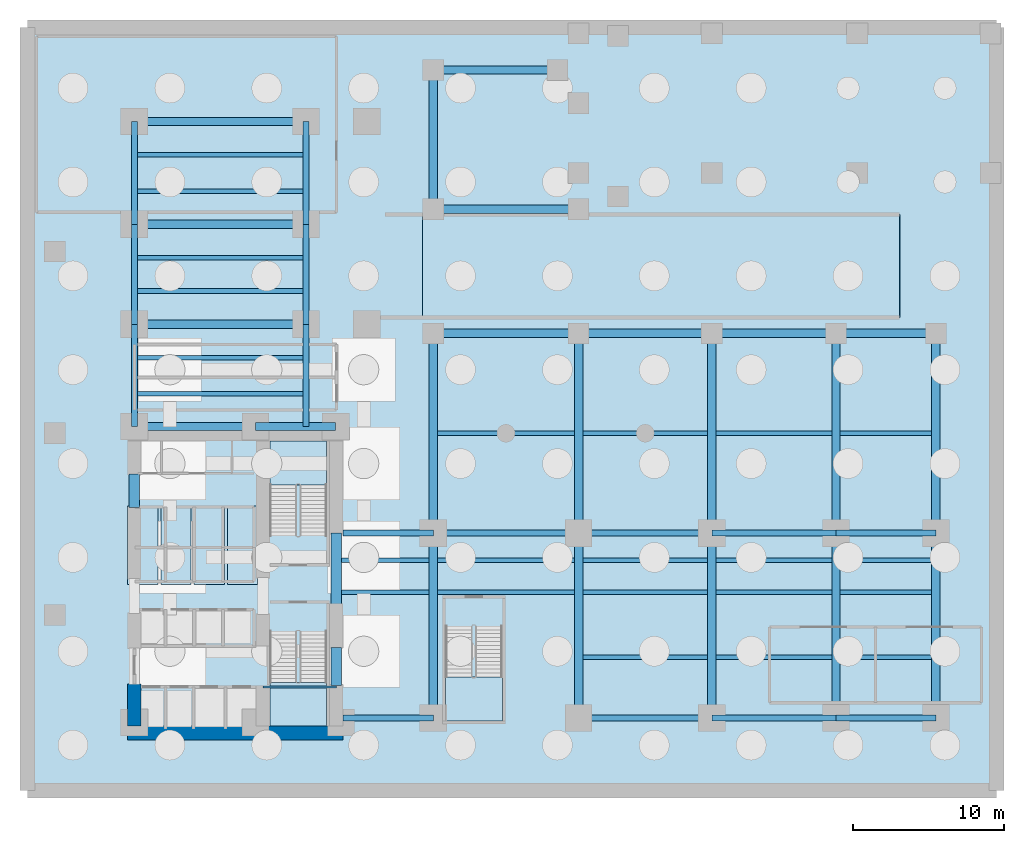
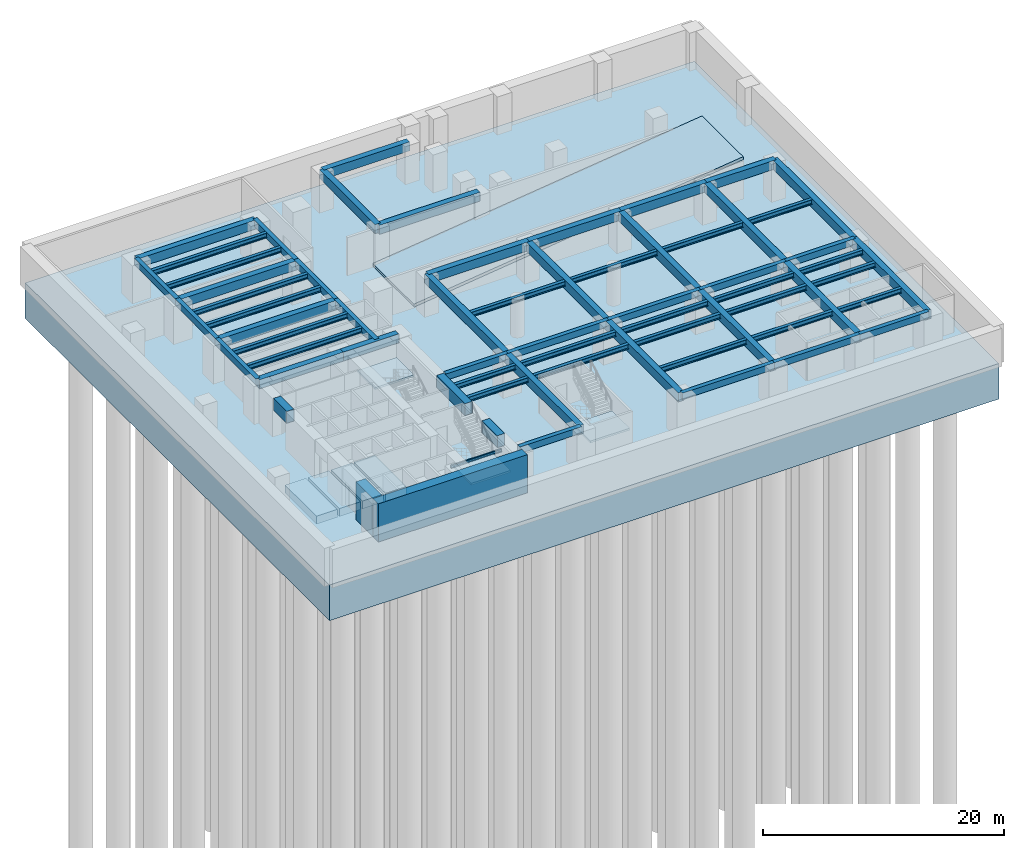
# One storey, part 2 of 6: 64 beams, 9 slabs, 2 walls, 3 elements without a shape of their own.
"""IFC4 building model written with IfcOpenShell, lengths in metres."""

import ifcopenshell
import ifcopenshell.guid

model = None  # the IFC model being written
_history = None  # IfcOwnerHistory: only IFC2X3 demands one
_inside = {}  # id of a spatial element -> (the spatial element, [elements in it])
_under = {}  # id of a project, library or spatial element -> (it, [spatial elements below it])
_declared = {}  # id of a project -> (the project, [libraries it declares])
_typed = {}  # id of a type object -> (the type object, [elements of that type])
_made_of = {}  # id of a material, layer set ... -> (it, [elements and type objects made of it])


def new_model(schema):
    """Start an empty IFC model of exactly this schema.

    Asked for "IFC4X3", IfcOpenShell would pick the latest addendum, in which some entities
    have other attributes; the version numbers below select the first issue.
    IFC2X3 requires an IfcOwnerHistory on every rooted entity: one is made here for all.
    """
    global model, _history
    if schema == "IFC4X3":
        model = ifcopenshell.file(schema_version=(4, 3, 0, 0))
    else:
        model = ifcopenshell.file(schema=schema)
    _inside.clear()
    _under.clear()
    _declared.clear()
    _typed.clear()
    _made_of.clear()
    _history = None
    if model.schema == "IFC2X3":
        org = make("IfcOrganization", Name="unknown")
        user = make(
            "IfcPersonAndOrganization",
            ThePerson=make("IfcPerson", FamilyName="unknown"),
            TheOrganization=org,
        )
        app = make(
            "IfcApplication",
            ApplicationDeveloper=org,
            Version="unknown",
            ApplicationFullName="unknown",
            ApplicationIdentifier="unknown",
        )
        _history = make(
            "IfcOwnerHistory",
            OwningUser=user,
            OwningApplication=app,
            ChangeAction="ADDED",
            CreationDate=0,
        )
    return model


def make(cls, **values):
    """One entity of the class cls with the attributes given. An attribute that is None is left unset."""
    return model.create_entity(
        cls, **{name: value for name, value in values.items() if value is not None}
    )


def rooted(cls, **values):
    """An entity with a GlobalId (a new one), such as an element, a storey or a relation."""
    return make(cls, GlobalId=ifcopenshell.guid.new(), OwnerHistory=_history, **values)


def si_unit(unit_type, name, prefix=None):
    """IfcSIUnit, for example si_unit("LENGTHUNIT", "METRE", prefix="MILLI")."""
    return make("IfcSIUnit", UnitType=unit_type, Prefix=prefix, Name=name)


def assignment(units):
    """IfcUnitAssignment: the units of a project."""
    return None if units is None else make("IfcUnitAssignment", Units=units)


def point(xyz):
    """IfcCartesianPoint."""
    return None if xyz is None else make("IfcCartesianPoint", Coordinates=xyz)


def direction(xyz):
    """IfcDirection."""
    return None if xyz is None else make("IfcDirection", DirectionRatios=xyz)


def frame(location, z_axis=None, x_axis=None):
    """IfcAxis2Placement3D, a coordinate frame: its origin and axes. An axis left out is left unset."""
    return make(
        "IfcAxis2Placement3D",
        Location=point(location),
        Axis=direction(z_axis),
        RefDirection=direction(x_axis),
    )


def frame_2d(location, x_axis=None):
    """IfcAxis2Placement2D, a coordinate frame in the plane: its origin and x axis."""
    return make(
        "IfcAxis2Placement2D", Location=point(location), RefDirection=direction(x_axis)
    )


def origin():
    """The frame at (0, 0, 0) with its axes left unset."""
    return frame((0.0, 0.0, 0.0))


def origin_2d():
    """The frame at (0, 0) in the plane with its x axis left unset."""
    return frame_2d((0.0, 0.0))


def place(relative_to, where):
    """IfcLocalPlacement: puts the frame where relative to a parent placement (None: the world)."""
    return make(
        "IfcLocalPlacement", PlacementRelTo=relative_to, RelativePlacement=where
    )


def context(
    kind, dimensions, precision=None, world=None, true_north=None, identifier=None
):
    """IfcGeometricRepresentationContext, for example the 3D "Model" context."""
    return make(
        "IfcGeometricRepresentationContext",
        ContextIdentifier=identifier,
        ContextType=kind,
        CoordinateSpaceDimension=dimensions,
        Precision=precision,
        WorldCoordinateSystem=world,
        TrueNorth=true_north,
    )


def subcontext(parent, identifier, kind, view, scale=None):
    """IfcGeometricRepresentationSubContext, for example "Body" below "Model"."""
    return make(
        "IfcGeometricRepresentationSubContext",
        ContextIdentifier=identifier,
        ContextType=kind,
        ParentContext=parent,
        TargetScale=scale,
        TargetView=view,
    )


def project(units=None, contexts=None):
    """IfcProject with its units and contexts."""
    return rooted(
        "IfcProject",
        Name="project",
        RepresentationContexts=contexts,
        UnitsInContext=assignment(units),
    )


def spatial(cls, under=None, at=None, **own):
    """A site, building, storey or space (cls), placed at a placement, below another one or the project."""
    s = rooted(cls, ObjectPlacement=at, **own)
    if under is not None:
        _under.setdefault(under.id(), (under, []))[1].append(s)
    return s


def polyline(points):
    """IfcPolyline through the points."""
    return make("IfcPolyline", Points=[point(p) for p in points])


def profile(cls, at=None, kind="AREA", **sizes):
    """A parametric profile (cls). Its sizes go by their IFC names, for example OverallWidth=200.0."""
    return make(cls, ProfileType=kind, Position=at, **sizes)


def rectangle(**sizes):
    """IfcRectangleProfileDef."""
    return profile("IfcRectangleProfileDef", **sizes)


def i_section(**sizes):
    """IfcIShapeProfileDef."""
    return profile("IfcIShapeProfileDef", **sizes)


def outline(outer, holes=None, kind="AREA"):
    """IfcArbitraryClosedProfileDef: a profile drawn as a closed curve; with holes, ...WithVoids."""
    if holes is None:
        return make("IfcArbitraryClosedProfileDef", ProfileType=kind, OuterCurve=outer)
    return make(
        "IfcArbitraryProfileDefWithVoids",
        ProfileType=kind,
        OuterCurve=outer,
        InnerCurves=holes,
    )


def extrude(swept, where, along, depth):
    """IfcExtrudedAreaSolid: the profile swept, set in the frame where, extruded along a direction by depth."""
    return make(
        "IfcExtrudedAreaSolid",
        SweptArea=swept,
        Position=where,
        ExtrudedDirection=direction(along),
        Depth=depth,
    )


def shape(context_of_items, identifier, shape_type, items):
    """IfcShapeRepresentation: the items that make up one representation, for example the "Body"."""
    return make(
        "IfcShapeRepresentation",
        ContextOfItems=context_of_items,
        RepresentationIdentifier=identifier,
        RepresentationType=shape_type,
        Items=items,
    )


def material(Name=None, Category=None):
    """IfcMaterial."""
    return make("IfcMaterial", Name=Name, Category=Category)


def layer(
    of_material, thickness, ventilated=None, Name=None, Category=None, Priority=None
):
    """IfcMaterialLayer: one layer of a wall or slab, of a material (None: an air gap)."""
    return make(
        "IfcMaterialLayer",
        Material=of_material,
        LayerThickness=thickness,
        IsVentilated=ventilated,
        Name=Name,
        Category=Category,
        Priority=Priority,
    )


def layer_set(layers, Name=None):
    """IfcMaterialLayerSet."""
    return make("IfcMaterialLayerSet", MaterialLayers=layers, LayerSetName=Name)


def material_profile(
    of_material, cross_section, Name=None, Category=None, Priority=None
):
    """IfcMaterialProfile: a cross section and its material."""
    return make(
        "IfcMaterialProfile",
        Name=Name,
        Material=of_material,
        Profile=cross_section,
        Priority=Priority,
        Category=Category,
    )


def profile_set(profiles, Name=None, composite=None):
    """IfcMaterialProfileSet."""
    return make(
        "IfcMaterialProfileSet",
        Name=Name,
        MaterialProfiles=profiles,
        CompositeProfile=composite,
    )


def made_of(thing, what):
    """Note that an element or type object is made of a material, layer set ...; save() writes the relation."""
    if what is not None:
        _made_of.setdefault(what.id(), (what, []))[1].append(thing)
    return thing


def type_object(cls, material=None, **own):
    """A type object (cls), such as IfcWallType, which elements share."""
    return made_of(rooted(cls, **own), material)


def element(
    cls,
    number,
    at=None,
    inside=None,
    cuts=None,
    type_object=None,
    material=None,
    context=None,
    identifier="Body",
    shape_type=None,
    held_by="IfcProductDefinitionShape",
    body=None,
    shapes=None,
    **own,
):
    """One element of the class cls, such as IfcWall. Its Tag is "e" and its number.

    at: its placement. inside: the storey or other place that contains it. cuts: it is an
    opening in that element (IfcRelVoidsElement). A single representation is given by context,
    identifier, shape_type and body (its items); several are given by shapes. held_by: the class
    of the entity that holds the representations. save() writes the other relations.
    """
    e = rooted(cls, Tag="e%d" % number, ObjectPlacement=at, **own)
    if body is not None:
        shapes = [shape(context, identifier, shape_type, body)]
    if shapes is not None:
        e.Representation = make(held_by, Representations=shapes)
    if inside is not None:
        _inside.setdefault(inside.id(), (inside, []))[1].append(e)
    if cuts is not None:
        rooted(
            "IfcRelVoidsElement", RelatingBuildingElement=cuts, RelatedOpeningElement=e
        )
    if type_object is not None:
        _typed.setdefault(type_object.id(), (type_object, []))[1].append(e)
    return made_of(e, material)


def aggregate(whole, parts):
    """IfcRelAggregates: a whole, such as a stair, and the parts it consists of."""
    return rooted("IfcRelAggregates", RelatingObject=whole, RelatedObjects=parts)


def save(model, path):
    """Write the relations noted so far, then the file.

    IfcRelAggregates (storeys below a building ...), IfcRelContainedInSpatialStructure (elements
    in a storey), IfcRelDefinesByType, IfcRelAssociatesMaterial and IfcRelDeclares: one each for
    every whole, place, type object, material and project.
    """
    for whole, parts in _under.values():
        aggregate(whole, parts)
    for where, things in _inside.values():
        rooted(
            "IfcRelContainedInSpatialStructure",
            RelatedElements=things,
            RelatingStructure=where,
        )
    for kind, things in _typed.values():
        rooted("IfcRelDefinesByType", RelatedObjects=things, RelatingType=kind)
    for what, things in _made_of.values():
        rooted("IfcRelAssociatesMaterial", RelatedObjects=things, RelatingMaterial=what)
    for by, libraries in _declared.values():
        rooted("IfcRelDeclares", RelatingContext=by, RelatedDefinitions=libraries)
    model.write(path)


model = new_model("IFC4")

# Units and contexts
model_context = context("Model", 3, precision=1e-05, world=origin(), true_north=direction((0.0, 1.0)))
body_context = subcontext(model_context, "Body", "Model", "MODEL_VIEW")
ifc_project = project(units=[si_unit("LENGTHUNIT", "METRE"), si_unit("AREAUNIT", "SQUARE_METRE"), si_unit("VOLUMEUNIT", "CUBIC_METRE"), si_unit("PLANEANGLEUNIT", "RADIAN"), si_unit("MASSUNIT", "GRAM", prefix="KILO")], contexts=[model_context])

# Site, building, storey
site_placement = place(None, origin())
site = spatial("IfcSite", under=ifc_project, at=site_placement, CompositionType="ELEMENT")
building_placement = place(site_placement, origin())
building = spatial("IfcBuilding", under=site, at=building_placement, Name="Kolvaren Waterfront Exchange", CompositionType="ELEMENT")
storey_placement = place(building_placement, frame((0.0, 0.0, -8.39990234375)))
storey = spatial("IfcBuildingStorey", under=building, at=storey_placement, Name="B02", CompositionType="ELEMENT", Elevation=-8.39990234375)

# Beams
ifc_material_1 = material(Name="Steel S355", Category="steel")
ifc_material_profile_1 = material_profile(ifc_material_1, i_section(OverallWidth=0.300048828125, OverallDepth=0.5, WebThickness=0.014404296875, FlangeThickness=0.028076171875, FilletRadius=0.027099609375, at=origin_2d()), Name="HEB500")
ifc_profile_set_1 = profile_set([ifc_material_profile_1], Name="Steel S355")
beam_type_1 = type_object("IfcBeamType", Name="STR-BM-HEB500", PredefinedType="BEAM", material=ifc_profile_set_1)
for number, where, z_axis, x_axis, name in (
    (1, (7.652099609375, 26.60009765625, 3.60986328125), (1.0, 0.0, 0.0), (0.0, 1.0, 0.0), "B02 north-arm composite joist 1"),
    (2, (7.652099609375, 29.0, 3.60986328125), (1.0, 0.0, 0.0), (0.0, 1.0, 0.0), "B02 north-arm composite joist 2"),
    (3, (7.652099609375, 33.39990234375, 3.60986328125), (1.0, 0.0, 0.0), (0.0, 1.0, 0.0), "B02 north-arm composite joist 3"),
    (4, (7.652099609375, 35.60009765625, 3.60986328125), (1.0, 0.0, 0.0), (0.0, 1.0, 0.0), "B02 north-arm composite joist 4"),
    (5, (7.652099609375, 40.0, 3.60986328125), (1.0, 0.0, 0.0), (0.0, 1.0, 0.0), "B02 north-arm composite joist 5"),
    (6, (7.652099609375, 42.39990234375, 3.60986328125), (1.0, 0.0, 0.0), (0.0, 1.0, 0.0), "B02 north-arm composite joist 6"),
):
    element("IfcBeam", number, at=place(storey_placement, frame(where, z_axis=z_axis, x_axis=x_axis)), inside=storey, type_object=beam_type_1, Name=name, PredefinedType="JOIST", context=body_context, shape_type="SweptSolid", body=[
        extrude(i_section(OverallWidth=0.300048828125, OverallDepth=0.5, WebThickness=0.014404296875, FlangeThickness=0.028076171875, FilletRadius=0.027099609375, at=origin_2d()), origin(), (0.0, 0.0, 1.0), 10.94580078125),
    ])
for number, where, z_axis, x_axis, name in (
    (7, (21.10009765625, 13.5, 3.60986328125), (1.0, 0.0, 0.0), (0.0, 1.0, 0.0), "B02 east-arm composite joist 1A"),
    (8, (21.10009765625, 15.60009765625, 3.60986328125), (1.0, 0.0, 0.0), (0.0, 1.0, 0.0), "B02 east-arm composite joist 1C"),
):
    element("IfcBeam", number, at=place(storey_placement, frame(where, z_axis=z_axis, x_axis=x_axis)), inside=storey, type_object=beam_type_1, Name=name, PredefinedType="JOIST", context=body_context, shape_type="SweptSolid", body=[
        extrude(i_section(OverallWidth=0.300048828125, OverallDepth=0.5, WebThickness=0.014404296875, FlangeThickness=0.028076171875, FilletRadius=0.027099609375, at=origin_2d()), origin(), (0.0, 0.0, 1.0), 5.822998046875),
    ])
for number, where, z_axis, x_axis, name in (
    (9, (27.47705078125, 13.5, 3.60986328125), (1.0, 0.0, 0.0), (0.0, 1.0, 0.0), "B02 east-arm composite joist 2A"),
    (10, (27.47705078125, 15.60009765625, 3.60986328125), (1.0, 0.0, 0.0), (0.0, 1.0, 0.0), "B02 east-arm composite joist 2C"),
):
    element("IfcBeam", number, at=place(storey_placement, frame(where, z_axis=z_axis, x_axis=x_axis)), inside=storey, type_object=beam_type_1, Name=name, PredefinedType="JOIST", context=body_context, shape_type="SweptSolid", body=[
        extrude(i_section(OverallWidth=0.300048828125, OverallDepth=0.5, WebThickness=0.014404296875, FlangeThickness=0.028076171875, FilletRadius=0.027099609375, at=origin_2d()), origin(), (0.0, 0.0, 1.0), 9.0458984375),
    ])
for number, where, z_axis, x_axis, name in (
    (11, (37.076904296875, 13.5, 3.60986328125), (1.0, 0.0, 0.0), (0.0, 1.0, 0.0), "B02 east-arm composite joist 3A"),
    (12, (37.076904296875, 15.60009765625, 3.60986328125), (1.0, 0.0, 0.0), (0.0, 1.0, 0.0), "B02 east-arm composite joist 3C"),
    (13, (37.076904296875, 9.199951171875, 3.60986328125), (1.0, 0.0, 0.0), (0.0, 1.0, 0.0), "B02 east-arm composite joist 3B"),
):
    element("IfcBeam", number, at=place(storey_placement, frame(where, z_axis=z_axis, x_axis=x_axis)), inside=storey, type_object=beam_type_1, Name=name, PredefinedType="JOIST", context=body_context, shape_type="SweptSolid", body=[
        extrude(i_section(OverallWidth=0.300048828125, OverallDepth=0.5, WebThickness=0.014404296875, FlangeThickness=0.028076171875, FilletRadius=0.027099609375, at=origin_2d()), origin(), (0.0, 0.0, 1.0), 8.24609375),
    ])
for number, where, z_axis, x_axis, name in (
    (14, (45.876953125, 13.5, 3.60986328125), (1.0, 0.0, 0.0), (0.0, 1.0, 0.0), "B02 east-arm composite joist 4A"),
    (15, (45.876953125, 15.60009765625, 3.60986328125), (1.0, 0.0, 0.0), (0.0, 1.0, 0.0), "B02 east-arm composite joist 4C"),
    (16, (45.876953125, 9.199951171875, 3.60986328125), (1.0, 0.0, 0.0), (0.0, 1.0, 0.0), "B02 east-arm composite joist 4B"),
):
    element("IfcBeam", number, at=place(storey_placement, frame(where, z_axis=z_axis, x_axis=x_axis)), inside=storey, type_object=beam_type_1, Name=name, PredefinedType="JOIST", context=body_context, shape_type="SweptSolid", body=[
        extrude(i_section(OverallWidth=0.300048828125, OverallDepth=0.5, WebThickness=0.014404296875, FlangeThickness=0.028076171875, FilletRadius=0.027099609375, at=origin_2d()), origin(), (0.0, 0.0, 1.0), 7.64599609375),
    ])
for number, where, z_axis, x_axis, name in (
    (17, (54.076904296875, 13.5, 3.60986328125), (1.0, 0.0, 0.0), (0.0, 1.0, 0.0), "B02 east-arm composite joist 5A"),
    (18, (54.076904296875, 15.60009765625, 3.60986328125), (1.0, 0.0, 0.0), (0.0, 1.0, 0.0), "B02 east-arm composite joist 5C"),
    (19, (54.076904296875, 9.199951171875, 3.60986328125), (1.0, 0.0, 0.0), (0.0, 1.0, 0.0), "B02 east-arm composite joist 5B"),
):
    element("IfcBeam", number, at=place(storey_placement, frame(where, z_axis=z_axis, x_axis=x_axis)), inside=storey, type_object=beam_type_1, Name=name, PredefinedType="JOIST", context=body_context, shape_type="SweptSolid", body=[
        extrude(i_section(OverallWidth=0.300048828125, OverallDepth=0.5, WebThickness=0.014404296875, FlangeThickness=0.028076171875, FilletRadius=0.027099609375, at=origin_2d()), origin(), (0.0, 0.0, 1.0), 6.046142578125),
    ])
beam_1_placement = place(storey_placement, frame((27.47705078125, 24.0, 3.60986328125), z_axis=(1.0, 0.0, 0.0), x_axis=(0.0, 1.0, 0.0)))
element("IfcBeam", 20, at=beam_1_placement, inside=storey, type_object=beam_type_1, Name="B02 podium trading joist 1", PredefinedType="JOIST", context=body_context, shape_type="SweptSolid", body=[
    extrude(i_section(OverallWidth=0.300048828125, OverallDepth=0.5, WebThickness=0.014404296875, FlangeThickness=0.028076171875, FilletRadius=0.027099609375, at=origin_2d()), origin(), (0.0, 0.0, 1.0), 9.0458984375),
])
beam_2_placement = place(storey_placement, frame((37.076904296875, 24.0, 3.60986328125), z_axis=(1.0, 0.0, 0.0), x_axis=(0.0, 1.0, 0.0)))
element("IfcBeam", 21, at=beam_2_placement, inside=storey, type_object=beam_type_1, Name="B02 podium trading joist 2", PredefinedType="JOIST", context=body_context, shape_type="SweptSolid", body=[
    extrude(i_section(OverallWidth=0.300048828125, OverallDepth=0.5, WebThickness=0.014404296875, FlangeThickness=0.028076171875, FilletRadius=0.027099609375, at=origin_2d()), origin(), (0.0, 0.0, 1.0), 8.24609375),
])
beam_3_placement = place(storey_placement, frame((45.876953125, 24.0, 3.60986328125), z_axis=(1.0, 0.0, 0.0), x_axis=(0.0, 1.0, 0.0)))
element("IfcBeam", 22, at=beam_3_placement, inside=storey, type_object=beam_type_1, Name="B02 podium trading joist 3", PredefinedType="JOIST", context=body_context, shape_type="SweptSolid", body=[
    extrude(i_section(OverallWidth=0.300048828125, OverallDepth=0.5, WebThickness=0.014404296875, FlangeThickness=0.028076171875, FilletRadius=0.027099609375, at=origin_2d()), origin(), (0.0, 0.0, 1.0), 7.64599609375),
])
beam_4_placement = place(storey_placement, frame((54.076904296875, 24.0, 3.60986328125), z_axis=(1.0, 0.0, 0.0), x_axis=(0.0, 1.0, 0.0)))
element("IfcBeam", 23, at=beam_4_placement, inside=storey, type_object=beam_type_1, Name="B02 podium trading joist 4", PredefinedType="JOIST", context=body_context, shape_type="SweptSolid", body=[
    extrude(i_section(OverallWidth=0.300048828125, OverallDepth=0.5, WebThickness=0.014404296875, FlangeThickness=0.028076171875, FilletRadius=0.027099609375, at=origin_2d()), origin(), (0.0, 0.0, 1.0), 6.046142578125),
])
ifc_material_profile_2 = material_profile(ifc_material_1, i_section(OverallWidth=0.135009765625, OverallDepth=0.27001953125, WebThickness=0.006591796875, FlangeThickness=0.01025390625, FilletRadius=0.014892578125, at=origin_2d()), Name="IPE270")
ifc_profile_set_2 = profile_set([ifc_material_profile_2], Name="Steel S355")
beam_type_2 = type_object("IfcBeamType", Name="STR-BM-IPE270", PredefinedType="LINTEL", material=ifc_profile_set_2)
beam_5_placement = place(storey_placement, frame((15.949951171875, 7.25, 2.364990234375), z_axis=(1.0, 0.0, 0.0), x_axis=(0.0, 1.0, 0.0)))
element("IfcBeam", 24, at=beam_5_placement, inside=storey, type_object=beam_type_2, Name="B02 core throat header lintel", PredefinedType="LINTEL", context=body_context, shape_type="SweptSolid", body=[
    extrude(i_section(OverallWidth=0.135009765625, OverallDepth=0.27001953125, WebThickness=0.006591796875, FlangeThickness=0.01025390625, FilletRadius=0.014892578125, at=origin_2d()), origin(), (0.0, 0.0, 1.0), 4.85009765625),
])
ifc_material_2 = material(Name="Concrete C70/85", Category="concrete")
ifc_material_profile_3 = material_profile(ifc_material_2, rectangle(XDim=0.699951171875, YDim=1.199951171875, at=origin_2d()), Name="RC-CB-1200x700")
ifc_profile_set_3 = profile_set([ifc_material_profile_3], Name="Concrete C70/85")
beam_type_3 = type_object("IfcBeamType", Name="STR-CB-1200", PredefinedType="SPANDREL", material=ifc_profile_set_3)
beam_6_placement = place(storey_placement, frame((20.800048828125, 7.340087890625, 3.260009765625), z_axis=(0.0, 1.0, 0.0), x_axis=(-1.0, 0.0, 0.0)))
element("IfcBeam", 25, at=beam_6_placement, inside=storey, type_object=beam_type_3, Name="B02 core coupling beam 1", PredefinedType="SPANDREL", context=body_context, shape_type="SweptSolid", body=[
    extrude(rectangle(XDim=0.699951171875, YDim=1.199951171875, at=origin_2d()), origin(), (0.0, 0.0, 1.0), 2.52001953125),
])
beam_7_placement = place(storey_placement, frame((20.800048828125, 12.68994140625, 3.260009765625), z_axis=(0.0, 1.0, 0.0), x_axis=(-1.0, 0.0, 0.0)))
element("IfcBeam", 26, at=beam_7_placement, inside=storey, type_object=beam_type_3, Name="B02 core coupling beam 2", PredefinedType="SPANDREL", context=body_context, shape_type="SweptSolid", body=[
    extrude(rectangle(XDim=0.699951171875, YDim=1.199951171875, at=origin_2d()), origin(), (0.0, 0.0, 1.0), 4.719970703125),
])
beam_8_placement = place(storey_placement, frame((7.449951171875, 19.10009765625, 3.260009765625), z_axis=(0.0, 1.0, 0.0), x_axis=(-1.0, 0.0, 0.0)))
element("IfcBeam", 27, at=beam_8_placement, inside=storey, type_object=beam_type_3, Name="B02 core coupling beam 5", PredefinedType="SPANDREL", context=body_context, shape_type="SweptSolid", body=[
    extrude(rectangle(XDim=0.699951171875, YDim=1.199951171875, at=origin_2d()), origin(), (0.0, 0.0, 1.0), 2.199951171875),
])
ifc_material_3 = material(Name="Concrete C40/50", Category="concrete")
ifc_material_profile_4 = material_profile(ifc_material_3, rectangle(XDim=0.39990234375, YDim=0.64990234375, at=origin_2d()), Name="RC-BM-650x400")
ifc_profile_set_4 = profile_set([ifc_material_profile_4], Name="Concrete C40/50")
beam_type_4 = type_object("IfcBeamType", Name="STR-RCBM-650", PredefinedType="SPANDREL", material=ifc_profile_set_4)
beam_9_placement = place(storey_placement, frame((7.449951171875, 24.449951171875, 3.534912109375), z_axis=(0.0, 1.0, 0.0), x_axis=(-1.0, 0.0, 0.0)))
element("IfcBeam", 28, at=beam_9_placement, inside=storey, type_object=beam_type_4, Name="B02 north-arm edge beam 1", PredefinedType="SPANDREL", context=body_context, shape_type="SweptSolid", body=[
    extrude(rectangle(XDim=0.39990234375, YDim=0.64990234375, at=origin_2d()), origin(), (0.0, 0.0, 1.0), 6.75),
])
beam_10_placement = place(storey_placement, frame((7.449951171875, 31.199951171875, 3.534912109375), z_axis=(0.0, 1.0, 0.0), x_axis=(-1.0, 0.0, 0.0)))
element("IfcBeam", 29, at=beam_10_placement, inside=storey, type_object=beam_type_4, Name="B02 north-arm edge beam 2", PredefinedType="SPANDREL", context=body_context, shape_type="SweptSolid", body=[
    extrude(rectangle(XDim=0.39990234375, YDim=0.64990234375, at=origin_2d()), origin(), (0.0, 0.0, 1.0), 6.60009765625),
])
beam_11_placement = place(storey_placement, frame((7.449951171875, 37.800048828125, 3.534912109375), z_axis=(0.0, 1.0, 0.0), x_axis=(-1.0, 0.0, 0.0)))
element("IfcBeam", 30, at=beam_11_placement, inside=storey, type_object=beam_type_4, Name="B02 north-arm edge beam 3", PredefinedType="SPANDREL", context=body_context, shape_type="SweptSolid", body=[
    extrude(rectangle(XDim=0.39990234375, YDim=0.64990234375, at=origin_2d()), origin(), (0.0, 0.0, 1.0), 6.800048828125),
])
beam_12_placement = place(storey_placement, frame((18.800048828125, 24.449951171875, 3.534912109375), z_axis=(0.0, 1.0, 0.0), x_axis=(-1.0, 0.0, 0.0)))
element("IfcBeam", 31, at=beam_12_placement, inside=storey, type_object=beam_type_4, Name="B02 north-arm edge beam 1", PredefinedType="SPANDREL", context=body_context, shape_type="SweptSolid", body=[
    extrude(rectangle(XDim=0.39990234375, YDim=0.64990234375, at=origin_2d()), origin(), (0.0, 0.0, 1.0), 6.75),
])
beam_13_placement = place(storey_placement, frame((18.800048828125, 31.199951171875, 3.534912109375), z_axis=(0.0, 1.0, 0.0), x_axis=(-1.0, 0.0, 0.0)))
element("IfcBeam", 32, at=beam_13_placement, inside=storey, type_object=beam_type_4, Name="B02 north-arm edge beam 2", PredefinedType="SPANDREL", context=body_context, shape_type="SweptSolid", body=[
    extrude(rectangle(XDim=0.39990234375, YDim=0.64990234375, at=origin_2d()), origin(), (0.0, 0.0, 1.0), 6.60009765625),
])
beam_14_placement = place(storey_placement, frame((18.800048828125, 37.800048828125, 3.534912109375), z_axis=(0.0, 1.0, 0.0), x_axis=(-1.0, 0.0, 0.0)))
element("IfcBeam", 33, at=beam_14_placement, inside=storey, type_object=beam_type_4, Name="B02 north-arm edge beam 3", PredefinedType="SPANDREL", context=body_context, shape_type="SweptSolid", body=[
    extrude(rectangle(XDim=0.39990234375, YDim=0.64990234375, at=origin_2d()), origin(), (0.0, 0.0, 1.0), 6.800048828125),
])
beam_15_placement = place(storey_placement, frame((21.25, 5.199951171875, 3.534912109375), z_axis=(1.0, 0.0, 0.0), x_axis=(0.0, 1.0, 0.0)))
element("IfcBeam", 34, at=beam_15_placement, inside=storey, type_object=beam_type_4, Name="B02 east-arm spandrel S1", PredefinedType="SPANDREL", context=body_context, shape_type="SweptSolid", body=[
    extrude(rectangle(XDim=0.39990234375, YDim=0.64990234375, at=origin_2d()), origin(), (0.0, 0.0, 1.0), 5.949951171875),
])
beam_16_placement = place(storey_placement, frame((36.800048828125, 5.199951171875, 3.534912109375), z_axis=(1.0, 0.0, 0.0), x_axis=(0.0, 1.0, 0.0)))
element("IfcBeam", 35, at=beam_16_placement, inside=storey, type_object=beam_type_4, Name="B02 east-arm spandrel S3", PredefinedType="SPANDREL", context=body_context, shape_type="SweptSolid", body=[
    extrude(rectangle(XDim=0.39990234375, YDim=0.64990234375, at=origin_2d()), origin(), (0.0, 0.0, 1.0), 8.800048828125),
])
beam_17_placement = place(storey_placement, frame((45.60009765625, 5.199951171875, 3.534912109375), z_axis=(1.0, 0.0, 0.0), x_axis=(0.0, 1.0, 0.0)))
element("IfcBeam", 36, at=beam_17_placement, inside=storey, type_object=beam_type_4, Name="B02 east-arm spandrel S4", PredefinedType="SPANDREL", context=body_context, shape_type="SweptSolid", body=[
    extrude(rectangle(XDim=0.39990234375, YDim=0.64990234375, at=origin_2d()), origin(), (0.0, 0.0, 1.0), 8.199951171875),
])
beam_18_placement = place(storey_placement, frame((53.800048828125, 5.199951171875, 3.534912109375), z_axis=(1.0, 0.0, 0.0), x_axis=(0.0, 1.0, 0.0)))
element("IfcBeam", 37, at=beam_18_placement, inside=storey, type_object=beam_type_4, Name="B02 east-arm spandrel S5", PredefinedType="SPANDREL", context=body_context, shape_type="SweptSolid", body=[
    extrude(rectangle(XDim=0.39990234375, YDim=0.64990234375, at=origin_2d()), origin(), (0.0, 0.0, 1.0), 6.599853515625),
])
beam_19_placement = place(storey_placement, frame((21.25, 17.39990234375, 3.534912109375), z_axis=(1.0, 0.0, 0.0), x_axis=(0.0, 1.0, 0.0)))
element("IfcBeam", 38, at=beam_19_placement, inside=storey, type_object=beam_type_4, Name="B02 east-arm spandrel N1", PredefinedType="SPANDREL", context=body_context, shape_type="SweptSolid", body=[
    extrude(rectangle(XDim=0.39990234375, YDim=0.64990234375, at=origin_2d()), origin(), (0.0, 0.0, 1.0), 5.949951171875),
])
beam_20_placement = place(storey_placement, frame((27.199951171875, 17.39990234375, 3.534912109375), z_axis=(1.0, 0.0, 0.0), x_axis=(0.0, 1.0, 0.0)))
element("IfcBeam", 39, at=beam_20_placement, inside=storey, type_object=beam_type_4, Name="B02 east-arm spandrel N2", PredefinedType="SPANDREL", context=body_context, shape_type="SweptSolid", body=[
    extrude(rectangle(XDim=0.39990234375, YDim=0.64990234375, at=origin_2d()), origin(), (0.0, 0.0, 1.0), 9.60009765625),
])
beam_21_placement = place(storey_placement, frame((36.800048828125, 17.39990234375, 3.534912109375), z_axis=(1.0, 0.0, 0.0), x_axis=(0.0, 1.0, 0.0)))
element("IfcBeam", 40, at=beam_21_placement, inside=storey, type_object=beam_type_4, Name="B02 east-arm spandrel N3", PredefinedType="SPANDREL", context=body_context, shape_type="SweptSolid", body=[
    extrude(rectangle(XDim=0.39990234375, YDim=0.64990234375, at=origin_2d()), origin(), (0.0, 0.0, 1.0), 8.800048828125),
])
beam_22_placement = place(storey_placement, frame((45.60009765625, 17.39990234375, 3.534912109375), z_axis=(1.0, 0.0, 0.0), x_axis=(0.0, 1.0, 0.0)))
element("IfcBeam", 41, at=beam_22_placement, inside=storey, type_object=beam_type_4, Name="B02 east-arm spandrel N4", PredefinedType="SPANDREL", context=body_context, shape_type="SweptSolid", body=[
    extrude(rectangle(XDim=0.39990234375, YDim=0.64990234375, at=origin_2d()), origin(), (0.0, 0.0, 1.0), 8.199951171875),
])
beam_23_placement = place(storey_placement, frame((53.800048828125, 17.39990234375, 3.534912109375), z_axis=(1.0, 0.0, 0.0), x_axis=(0.0, 1.0, 0.0)))
element("IfcBeam", 42, at=beam_23_placement, inside=storey, type_object=beam_type_4, Name="B02 east-arm spandrel N5", PredefinedType="SPANDREL", context=body_context, shape_type="SweptSolid", body=[
    extrude(rectangle(XDim=0.39990234375, YDim=0.64990234375, at=origin_2d()), origin(), (0.0, 0.0, 1.0), 6.599853515625),
])
ifc_material_profile_5 = material_profile(ifc_material_3, rectangle(XDim=0.550048828125, YDim=0.89990234375, at=origin_2d()), Name="RC-BM-900x550")
ifc_profile_set_5 = profile_set([ifc_material_profile_5], Name="Concrete C40/50")
beam_type_5 = type_object("IfcBeamType", Name="STR-RCBM-900", PredefinedType="BEAM", material=ifc_profile_set_5)
beam_24_placement = place(storey_placement, frame((7.449951171875, 24.449951171875, 3.409912109375), z_axis=(1.0, 0.0, 0.0), x_axis=(0.0, 1.0, 0.0)))
element("IfcBeam", 43, at=beam_24_placement, inside=storey, type_object=beam_type_5, Name="B02 north-arm girder 1A", PredefinedType="BEAM", context=body_context, shape_type="SweptSolid", body=[
    extrude(rectangle(XDim=0.550048828125, YDim=0.89990234375, at=origin_2d()), origin(), (0.0, 0.0, 1.0), 8.0),
])
beam_25_placement = place(storey_placement, frame((15.449951171875, 24.449951171875, 3.409912109375), z_axis=(1.0, 0.0, 0.0), x_axis=(0.0, 1.0, 0.0)))
element("IfcBeam", 44, at=beam_25_placement, inside=storey, type_object=beam_type_5, Name="B02 north-arm girder 1B", PredefinedType="BEAM", context=body_context, shape_type="SweptSolid", body=[
    extrude(rectangle(XDim=0.550048828125, YDim=0.89990234375, at=origin_2d()), origin(), (0.0, 0.0, 1.0), 5.300048828125),
])
for number, where, z_axis, x_axis, name in (
    (45, (7.449951171875, 31.199951171875, 3.409912109375), (1.0, 0.0, 0.0), (0.0, 1.0, 0.0), "B02 north-arm girder 2"),
    (46, (7.449951171875, 37.800048828125, 3.409912109375), (1.0, 0.0, 0.0), (0.0, 1.0, 0.0), "B02 north-arm girder 3"),
    (47, (7.449951171875, 44.60009765625, 3.409912109375), (1.0, 0.0, 0.0), (0.0, 1.0, 0.0), "B02 north-arm girder 4"),
):
    element("IfcBeam", number, at=place(storey_placement, frame(where, z_axis=z_axis, x_axis=x_axis)), inside=storey, type_object=beam_type_5, Name=name, PredefinedType="BEAM", context=body_context, shape_type="SweptSolid", body=[
        extrude(rectangle(XDim=0.550048828125, YDim=0.89990234375, at=origin_2d()), origin(), (0.0, 0.0, 1.0), 11.35009765625),
    ])
for number, where, z_axis, x_axis, name in (
    (48, (27.199951171875, 5.199951171875, 3.409912109375), (0.0, 1.0, 0.0), (-1.0, 0.0, 0.0), "B02 east-arm transverse girder X27"),
    (49, (36.800048828125, 5.199951171875, 3.409912109375), (0.0, 1.0, 0.0), (-1.0, 0.0, 0.0), "B02 east-arm transverse girder X36"),
    (50, (45.60009765625, 5.199951171875, 3.409912109375), (0.0, 1.0, 0.0), (-1.0, 0.0, 0.0), "B02 east-arm transverse girder X45"),
    (51, (53.800048828125, 5.199951171875, 3.409912109375), (0.0, 1.0, 0.0), (-1.0, 0.0, 0.0), "B02 east-arm transverse girder X53"),
    (52, (60.39990234375, 5.199951171875, 3.409912109375), (0.0, 1.0, 0.0), (-1.0, 0.0, 0.0), "B02 east-arm transverse girder X60"),
):
    element("IfcBeam", number, at=place(storey_placement, frame(where, z_axis=z_axis, x_axis=x_axis)), inside=storey, type_object=beam_type_5, Name=name, PredefinedType="BEAM", context=body_context, shape_type="SweptSolid", body=[
        extrude(rectangle(XDim=0.550048828125, YDim=0.89990234375, at=origin_2d()), origin(), (0.0, 0.0, 1.0), 12.199951171875),
    ])
for number, where, z_axis, x_axis, name in (
    (53, (27.199951171875, 17.39990234375, 3.409912109375), (0.0, 1.0, 0.0), (-1.0, 0.0, 0.0), "B02 podium hall girder X27"),
    (54, (36.800048828125, 17.39990234375, 3.409912109375), (0.0, 1.0, 0.0), (-1.0, 0.0, 0.0), "B02 podium hall girder X36"),
    (55, (45.60009765625, 17.39990234375, 3.409912109375), (0.0, 1.0, 0.0), (-1.0, 0.0, 0.0), "B02 podium hall girder X45"),
    (56, (53.800048828125, 17.39990234375, 3.409912109375), (0.0, 1.0, 0.0), (-1.0, 0.0, 0.0), "B02 podium hall girder X53"),
    (57, (60.39990234375, 17.39990234375, 3.409912109375), (0.0, 1.0, 0.0), (-1.0, 0.0, 0.0), "B02 podium hall girder X60"),
):
    element("IfcBeam", number, at=place(storey_placement, frame(where, z_axis=z_axis, x_axis=x_axis)), inside=storey, type_object=beam_type_5, Name=name, PredefinedType="BEAM", context=body_context, shape_type="SweptSolid", body=[
        extrude(rectangle(XDim=0.550048828125, YDim=0.89990234375, at=origin_2d()), origin(), (0.0, 0.0, 1.0), 13.2001953125),
    ])
beam_26_placement = place(storey_placement, frame((27.199951171875, 30.60009765625, 3.409912109375), z_axis=(1.0, 0.0, 0.0), x_axis=(0.0, 1.0, 0.0)))
element("IfcBeam", 58, at=beam_26_placement, inside=storey, type_object=beam_type_5, Name="B02 podium longitudinal beam 1", PredefinedType="BEAM", context=body_context, shape_type="SweptSolid", body=[
    extrude(rectangle(XDim=0.550048828125, YDim=0.89990234375, at=origin_2d()), origin(), (0.0, 0.0, 1.0), 9.60009765625),
])
beam_27_placement = place(storey_placement, frame((36.800048828125, 30.60009765625, 3.409912109375), z_axis=(1.0, 0.0, 0.0), x_axis=(0.0, 1.0, 0.0)))
element("IfcBeam", 59, at=beam_27_placement, inside=storey, type_object=beam_type_5, Name="B02 podium longitudinal beam 2", PredefinedType="BEAM", context=body_context, shape_type="SweptSolid", body=[
    extrude(rectangle(XDim=0.550048828125, YDim=0.89990234375, at=origin_2d()), origin(), (0.0, 0.0, 1.0), 8.800048828125),
])
beam_28_placement = place(storey_placement, frame((45.60009765625, 30.60009765625, 3.409912109375), z_axis=(1.0, 0.0, 0.0), x_axis=(0.0, 1.0, 0.0)))
element("IfcBeam", 60, at=beam_28_placement, inside=storey, type_object=beam_type_5, Name="B02 podium longitudinal beam 3", PredefinedType="BEAM", context=body_context, shape_type="SweptSolid", body=[
    extrude(rectangle(XDim=0.550048828125, YDim=0.89990234375, at=origin_2d()), origin(), (0.0, 0.0, 1.0), 8.199951171875),
])
beam_29_placement = place(storey_placement, frame((53.800048828125, 30.60009765625, 3.409912109375), z_axis=(1.0, 0.0, 0.0), x_axis=(0.0, 1.0, 0.0)))
element("IfcBeam", 61, at=beam_29_placement, inside=storey, type_object=beam_type_5, Name="B02 podium longitudinal beam 4", PredefinedType="BEAM", context=body_context, shape_type="SweptSolid", body=[
    extrude(rectangle(XDim=0.550048828125, YDim=0.89990234375, at=origin_2d()), origin(), (0.0, 0.0, 1.0), 6.599853515625),
])
beam_30_placement = place(storey_placement, frame((27.199951171875, 38.800048828125, 3.409912109375), z_axis=(1.0, 0.0, 0.0), x_axis=(0.0, 1.0, 0.0)))
element("IfcBeam", 62, at=beam_30_placement, inside=storey, type_object=beam_type_5, Name="B02 podium north girder 1", PredefinedType="BEAM", context=body_context, shape_type="SweptSolid", body=[
    extrude(rectangle(XDim=0.550048828125, YDim=0.89990234375, at=origin_2d()), origin(), (0.0, 0.0, 1.0), 9.60009765625),
])
beam_31_placement = place(storey_placement, frame((27.199951171875, 48.0, 3.409912109375), z_axis=(1.0, 0.0, 0.0), x_axis=(0.0, 1.0, 0.0)))
element("IfcBeam", 63, at=beam_31_placement, inside=storey, type_object=beam_type_5, Name="B02 podium north girder 2", PredefinedType="BEAM", context=body_context, shape_type="SweptSolid", body=[
    extrude(rectangle(XDim=0.550048828125, YDim=0.89990234375, at=origin_2d()), origin(), (0.0, 0.0, 1.0), 8.199951171875),
])
beam_32_placement = place(storey_placement, frame((27.199951171875, 38.800048828125, 3.409912109375), z_axis=(0.0, 1.0, 0.0), x_axis=(-1.0, 0.0, 0.0)))
element("IfcBeam", 64, at=beam_32_placement, inside=storey, type_object=beam_type_5, Name="B02 podium west-link girder", PredefinedType="BEAM", context=body_context, shape_type="SweptSolid", body=[
    extrude(rectangle(XDim=0.550048828125, YDim=0.89990234375, at=origin_2d()), origin(), (0.0, 0.0, 1.0), 9.199951171875),
])

# Stair, slab
stair_type = type_object("IfcStairType", Name="ARC-STAIR-4200", PredefinedType="HALF_TURN_STAIR", material=ifc_material_3)
stair_1_placement = place(storey_placement, origin())
stair_1 = element("IfcStair", 65, at=stair_1_placement, inside=storey, type_object=stair_type, Name="B02 Smoke-proof exit stair ST1", PredefinedType="HALF_TURN_STAIR")
ifc_layer_1 = layer(ifc_material_3, 0.199951171875, Name="Concrete C40/50")
ifc_layer_set_1 = layer_set([ifc_layer_1], Name="Concrete C40/50")
slab_type_1 = type_object("IfcSlabType", Name="STR-LANDING-200", PredefinedType="LANDING", material=ifc_layer_set_1)
slab_1_placement = place(storey_placement, frame((0.0, 0.0, 1.89990234375)))
slab_1 = element("IfcSlab", 66, at=slab_1_placement, type_object=slab_type_1, Name="ST1 landing 1", PredefinedType="LANDING", context=body_context, shape_type="SweptSolid", body=[
    extrude(outline(polyline([(16.39990234375, 7.550048828125), (16.39990234375, 4.64990234375), (20.159912109375, 4.64990234375), (20.159912109375, 7.550048828125), (16.39990234375, 7.550048828125)])), origin(), (0.0, 0.0, 1.0), 0.199951171875),
])
aggregate(stair_1, [slab_1])

stair_2_placement = place(storey_placement, origin())
stair_2 = element("IfcStair", 67, at=stair_2_placement, inside=storey, type_object=stair_type, Name="B02 Smoke-proof exit stair ST2", PredefinedType="HALF_TURN_STAIR")
slab_2_placement = place(storey_placement, frame((0.0, 0.0, 1.89990234375)))
slab_2 = element("IfcSlab", 68, at=slab_2_placement, type_object=slab_type_1, Name="ST2 landing 1", PredefinedType="LANDING", context=body_context, shape_type="SweptSolid", body=[
    extrude(outline(polyline([(20.159912109375, 20.60009765625), (20.159912109375, 23.5), (16.39990234375, 23.5), (16.39990234375, 20.60009765625), (20.159912109375, 20.60009765625)])), origin(), (0.0, 0.0, 1.0), 0.199951171875),
])
aggregate(stair_2, [slab_2])

stair_3_placement = place(storey_placement, origin())
stair_3 = element("IfcStair", 69, at=stair_3_placement, inside=storey, type_object=stair_type, Name="B02 Exit stair ST3", PredefinedType="HALF_TURN_STAIR")
slab_3_placement = place(storey_placement, frame((0.0, 0.0, 1.89990234375)))
slab_3 = element("IfcSlab", 70, at=slab_3_placement, type_object=slab_type_1, Name="ST3 landing 1", PredefinedType="LANDING", context=body_context, shape_type="SweptSolid", body=[
    extrude(outline(polyline([(28.0, 7.89990234375), (28.0, 5.0), (31.760009765625, 5.0), (31.760009765625, 7.89990234375), (28.0, 7.89990234375)])), origin(), (0.0, 0.0, 1.0), 0.199951171875),
])
aggregate(stair_3, [slab_3])

# Slabs
ifc_layer_2 = layer(ifc_material_3, 0.800048828125, Name="Concrete C40/50")
ifc_layer_set_2 = layer_set([ifc_layer_2], Name="Concrete C40/50")
slab_type_2 = type_object("IfcSlabType", Name="STR-PIT-800", PredefinedType="BASESLAB", material=ifc_layer_set_2)
slab_4_placement = place(storey_placement, frame((0.0, 0.0, -4.400146484375)))
element("IfcSlab", 71, at=slab_4_placement, inside=storey, type_object=slab_type_2, Name="Express lift pit base pad 1", PredefinedType="BASESLAB", context=body_context, shape_type="SweptSolid", body=[
    extrude(outline(polyline([(7.0, 14.0), (9.0, 14.0), (9.0, 19.199951171875), (7.0, 19.199951171875), (7.0, 14.0)])), origin(), (0.0, 0.0, 1.0), 0.800048828125),
])
slab_5_placement = place(storey_placement, frame((0.0, 0.0, -4.400146484375)))
element("IfcSlab", 72, at=slab_5_placement, inside=storey, type_object=slab_type_2, Name="Express lift pit base pad 2", PredefinedType="BASESLAB", context=body_context, shape_type="SweptSolid", body=[
    extrude(outline(polyline([(9.199951171875, 14.0), (11.199951171875, 14.0), (11.199951171875, 19.199951171875), (9.199951171875, 19.199951171875), (9.199951171875, 14.0)])), origin(), (0.0, 0.0, 1.0), 0.800048828125),
])
slab_6_placement = place(storey_placement, frame((0.0, 0.0, -4.400146484375)))
element("IfcSlab", 73, at=slab_6_placement, inside=storey, type_object=slab_type_2, Name="Express lift pit base pad 3", PredefinedType="BASESLAB", context=body_context, shape_type="SweptSolid", body=[
    extrude(outline(polyline([(11.39990234375, 14.0), (13.39990234375, 14.0), (13.39990234375, 19.199951171875), (11.39990234375, 19.199951171875), (11.39990234375, 14.0)])), origin(), (0.0, 0.0, 1.0), 0.800048828125),
])
slab_7_placement = place(storey_placement, frame((0.0, 0.0, -4.400146484375)))
element("IfcSlab", 74, at=slab_7_placement, inside=storey, type_object=slab_type_2, Name="Express lift pit base pad 4", PredefinedType="BASESLAB", context=body_context, shape_type="SweptSolid", body=[
    extrude(outline(polyline([(13.60009765625, 14.0), (15.60009765625, 14.0), (15.60009765625, 19.199951171875), (13.60009765625, 19.199951171875), (13.60009765625, 14.0)])), origin(), (0.0, 0.0, 1.0), 0.800048828125),
])
ifc_layer_3 = layer(ifc_material_3, 3.60009765625, Name="Concrete C40/50")
ifc_layer_set_3 = layer_set([ifc_layer_3], Name="Concrete C40/50")
slab_type_3 = type_object("IfcSlabType", Name="STR-RAFT-3600", PredefinedType="BASESLAB", material=ifc_layer_set_3)
slab_8_placement = place(storey_placement, frame((0.0, 0.0, -3.60009765625)))
element("IfcSlab", 75, at=slab_8_placement, inside=storey, type_object=slab_type_3, Name="B02 3600 mm reinforced concrete piled raft", PredefinedType="BASESLAB", context=body_context, shape_type="SweptSolid", body=[
    extrude(outline(polyline([(0.39990234375, 0.39990234375), (64.39990234375, 0.39990234375), (64.39990234375, 50.800048828125), (0.39990234375, 50.800048828125), (0.39990234375, 0.39990234375)])), origin(), (0.0, 0.0, 1.0), 3.60009765625),
])
ifc_layer_4 = layer(ifc_material_3, 0.300048828125, Name="Concrete C40/50")
ifc_layer_set_4 = layer_set([ifc_layer_4], Name="Concrete C40/50")
slab_type_4 = type_object("IfcSlabType", Name="STR-RAMP-SLAB-300", PredefinedType="FLOOR", material=ifc_layer_set_4)
slab_9_placement = place(storey_placement, frame((26.5, 31.64990234375, 0.30859375), z_axis=(-0.122603178936, 0.0, 0.992455772574), x_axis=(0.992455772574, 0.0, 0.122603178936)))
element("IfcSlab", 76, at=slab_9_placement, inside=storey, type_object=slab_type_4, Name="B02 two-way vehicle ramp VS30 structural concrete slab", PredefinedType="FLOOR", context=body_context, shape_type="SweptSolid", body=[
    extrude(outline(polyline([(0.0, 0.0), (31.739449626368472, 0.0), (31.739449626368472, 6.800048828125), (0.0, 6.800048828125), (0.0, 0.0)])), origin(), (0.0, 0.0, -1.0), 0.300048828125),
])

# Walls
ifc_layer_5 = layer(ifc_material_2, 0.89990234375, Name="Concrete C70/85")
ifc_layer_set_5 = layer_set([ifc_layer_5], Name="Concrete C70/85")
wall_type = type_object("IfcWallType", Name="STR-CWALL-900", PredefinedType="SHEAR", material=ifc_layer_set_5)
wall_1_placement = place(storey_placement, frame((7.0, 4.199951171875, 0.0), z_axis=(0.0, 0.0, 1.0), x_axis=(1.0, 0.0, 0.0)))
element("IfcWall", 77, at=wall_1_placement, inside=storey, type_object=wall_type, Name="B02 rear-core shear wall S", PredefinedType="SHEAR", context=body_context, shape_type="SweptSolid", body=[
    extrude(rectangle(XDim=14.25, YDim=0.89990234375, at=frame_2d((7.125, 0.0))), origin(), (0.0, 0.0, 1.0), 3.85986328125),
])
wall_2_placement = place(storey_placement, frame((7.449951171875, 4.64990234375, 0.0), z_axis=(0.0, 0.0, 1.0), x_axis=(0.0, 1.0, 0.0)))
element("IfcWall", 78, at=wall_2_placement, inside=storey, type_object=wall_type, Name="B02 rear-core shear wall W1", PredefinedType="SHEAR", context=body_context, shape_type="SweptSolid", body=[
    extrude(rectangle(XDim=2.800048828125, YDim=0.89990234375, at=frame_2d((1.39990234375, 0.0))), origin(), (0.0, 0.0, 1.0), 3.85986328125),
])

save(model, "model.ifc")
